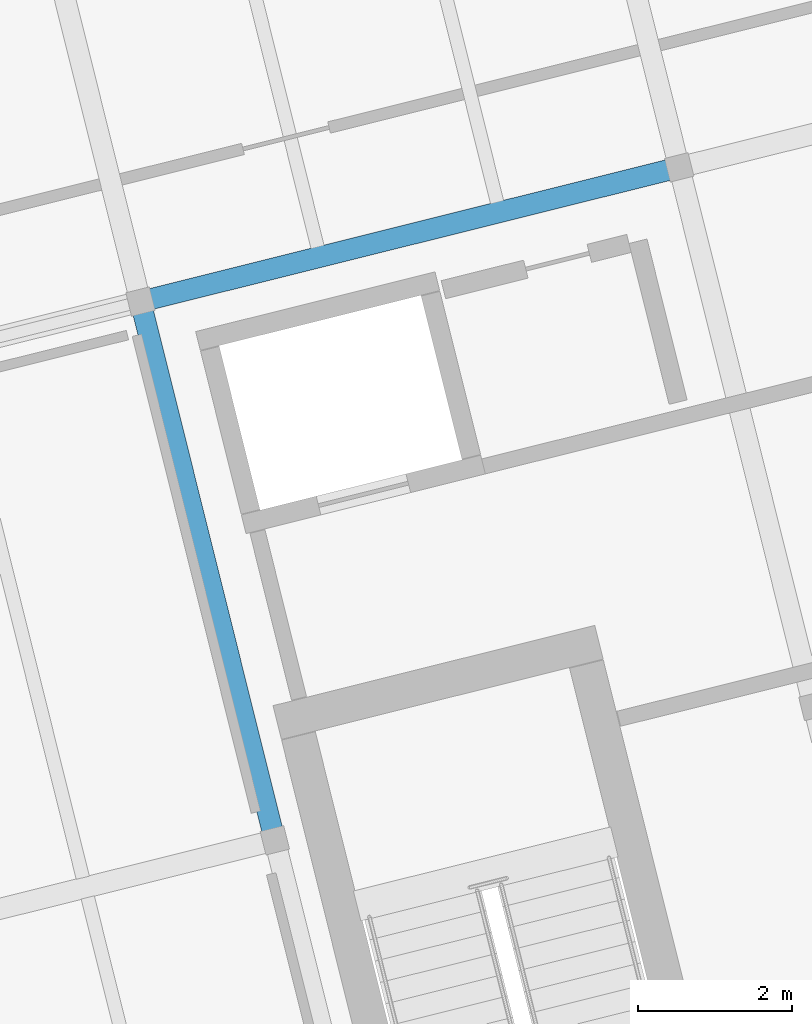
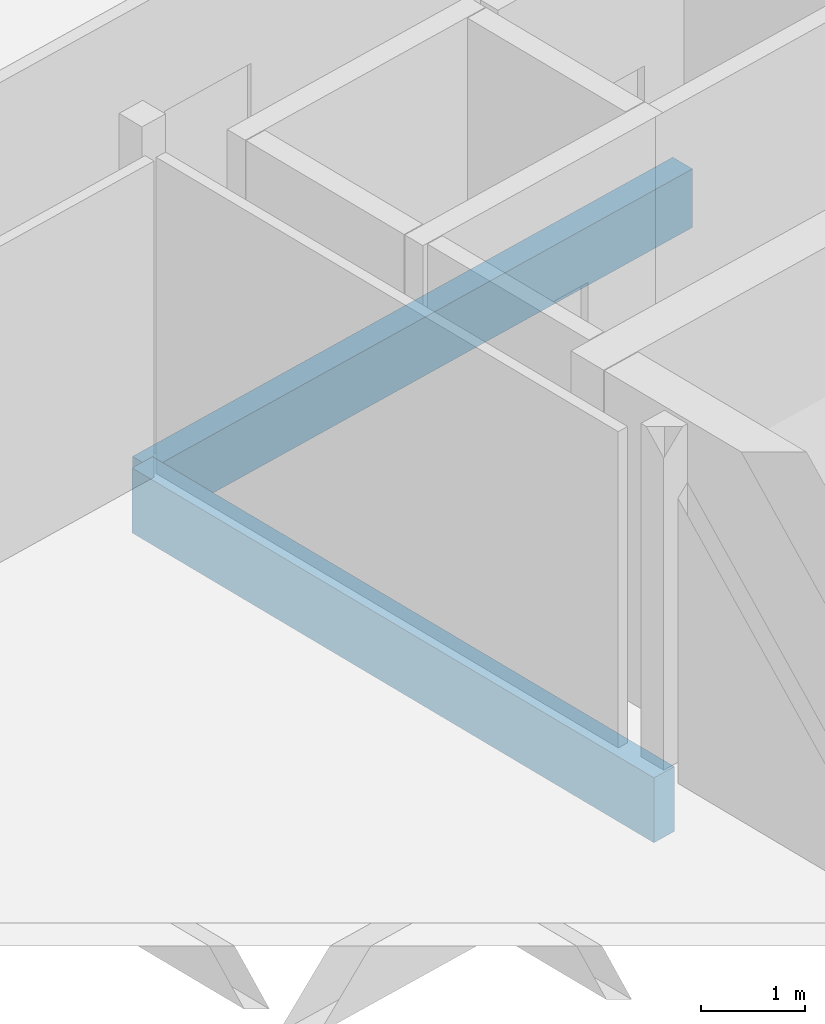
# One storey, part 10 of 25: 2 beams.
"""IFC4 building model written with IfcOpenShell, lengths in metres."""

from ifc_helpers import new_model, si_unit, direction, frame, origin, origin_2d, place, context, subcontext, project, spatial, rectangle, extrude, material, material_profile, profile_set, type_object, element, save


model = new_model("IFC4")

# Units and contexts
model_context = context("Model", 3, precision=1e-05, world=origin(), true_north=direction((0.0, 1.0)))
body_context = subcontext(model_context, "Body", "Model", "MODEL_VIEW")
ifc_project = project(units=[si_unit("LENGTHUNIT", "METRE"), si_unit("AREAUNIT", "SQUARE_METRE"), si_unit("VOLUMEUNIT", "CUBIC_METRE"), si_unit("PLANEANGLEUNIT", "RADIAN"), si_unit("MASSUNIT", "GRAM", prefix="KILO")], contexts=[model_context])

# Site, building, storey
site_placement = place(None, origin())
site = spatial("IfcSite", under=ifc_project, at=site_placement, CompositionType="ELEMENT")
building_placement = place(site_placement, origin())
building = spatial("IfcBuilding", under=site, at=building_placement, Name="Meriwether Solvik Hall", CompositionType="ELEMENT")
storey_placement = place(building_placement, frame((0.0, 0.0, 53.39990234375)))
storey = spatial("IfcBuildingStorey", under=building, at=storey_placement, Name="L13", CompositionType="ELEMENT", Elevation=53.39990234375)

# Beams
ifc_material_1 = material(Name="Glulam Douglas-Fir 24F-V8 GL28h", Category="wood")
ifc_material_profile_1 = material_profile(ifc_material_1, rectangle(XDim=0.27294921875, YDim=0.68505859375, at=origin_2d()), Name="GLB-273X685")
ifc_profile_set_1 = profile_set([ifc_material_profile_1], Name="Glulam Douglas-Fir 24F-V8 GL28h")
beam_type_1 = type_object("IfcBeamType", Name="BM-GL-273X685", PredefinedType="BEAM", material=ifc_profile_set_1)
beam_1_placement = place(storey_placement, frame((70.893798828125, 63.414794921875, -0.5224609375), z_axis=(0.970293896644, 0.241929233735, 0.0), x_axis=(-0.241929233735, 0.970293896644, 0.0)))
element("IfcBeam", 1, at=beam_1_placement, inside=storey, type_object=beam_type_1, Name="Tower Girder TD:T2-T3 (L13)", PredefinedType="BEAM", context=body_context, shape_type="SweptSolid", body=[
    extrude(rectangle(XDim=0.27294921875, YDim=0.68505859375, at=origin_2d()), origin(), (0.0, 0.0, 1.0), 7.2001953125),
])
ifc_material_2 = material(Name="Glulam Douglas-Fir 24F-V8 GL28h", Category="wood")
ifc_material_profile_2 = material_profile(ifc_material_2, rectangle(XDim=0.27294921875, YDim=0.760009765625, at=origin_2d()), Name="GLB-273X760")
ifc_profile_set_2 = profile_set([ifc_material_profile_2], Name="Glulam Douglas-Fir 24F-V8 GL28h")
beam_type_2 = type_object("IfcBeamType", Name="BM-GL-273X760", PredefinedType="BEAM", material=ifc_profile_set_2)
beam_2_placement = place(storey_placement, frame((72.6357421875, 56.4287109375, -0.559814453125), z_axis=(-0.241937193493, 0.970291911955, 0.0), x_axis=(-0.970291911955, -0.241937193493, 0.0)))
element("IfcBeam", 2, at=beam_2_placement, inside=storey, type_object=beam_type_2, Name="Tower Girder T2:TC-TD (L13)", PredefinedType="BEAM", context=body_context, shape_type="SweptSolid", body=[
    extrude(rectangle(XDim=0.27294921875, YDim=0.760009765625, at=origin_2d()), origin(), (0.0, 0.0, 1.0), 7.199951171875),
])

save(model, "model.ifc")
